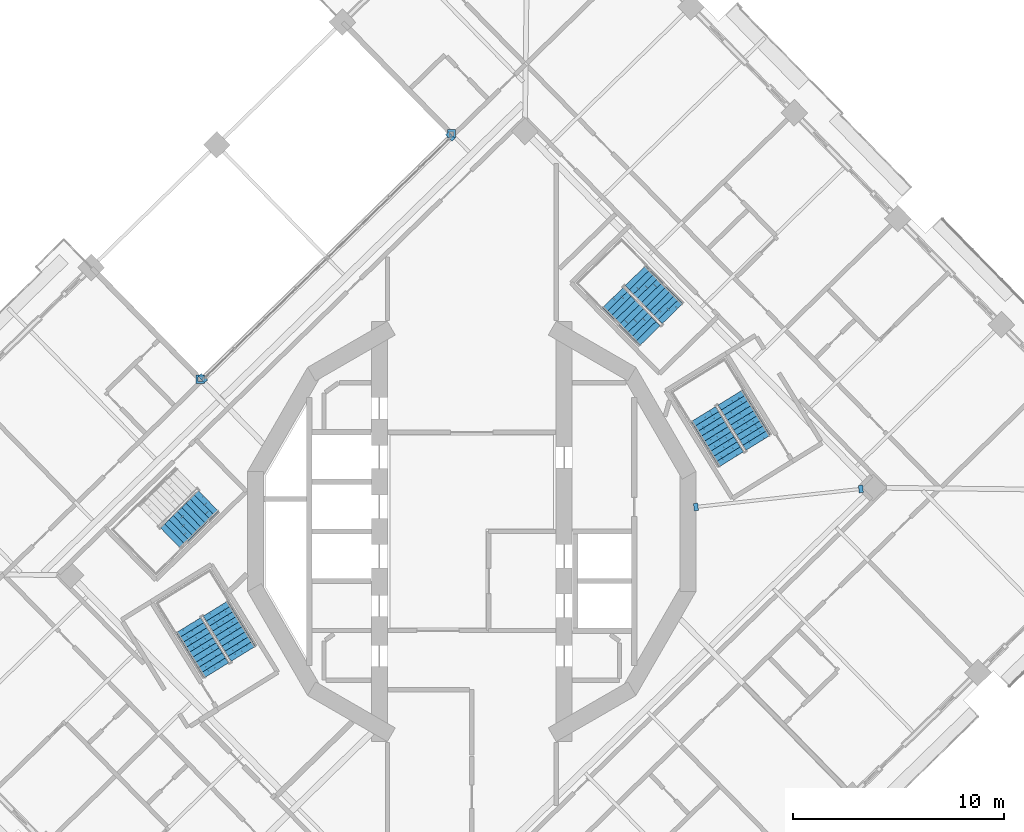
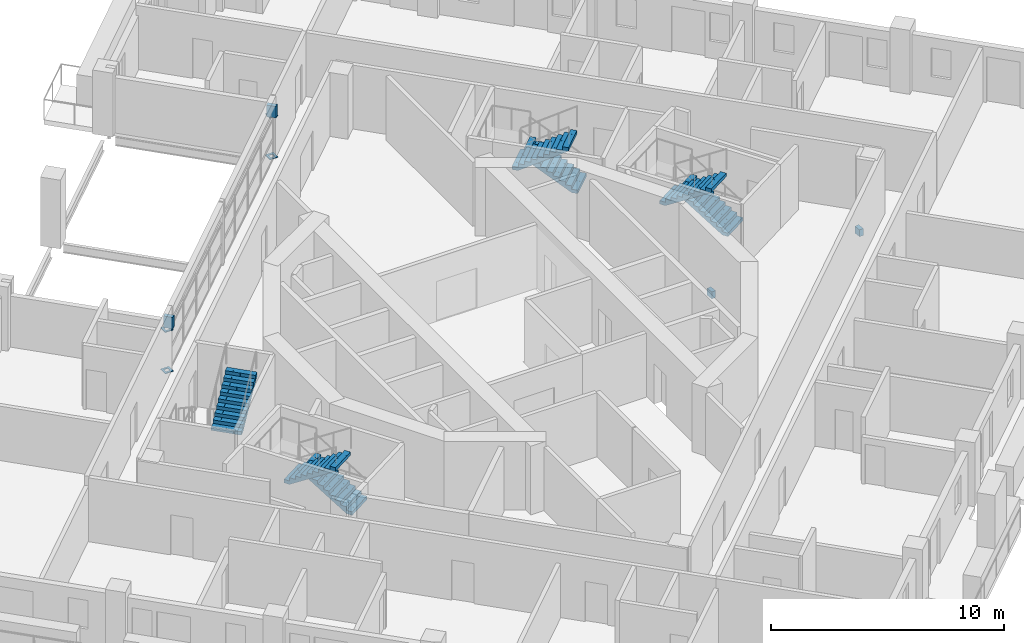
# One storey, part 12 of 18: 8 discrete accessories, 7 stair flights, 4 elements without a shape of their own.
"""IFC4 building model written with IfcOpenShell, lengths in metres."""

from ifc_helpers import new_model, si_unit, direction, frame, origin, place, context, subcontext, project, spatial, polyline, outline, extrude, material, layer, layer_set, type_object, element, aggregate, save


model = new_model("IFC4")

# Units and contexts
model_context = context("Model", 3, precision=1e-05, world=origin(), true_north=direction((0.0, 1.0)))
body_context = subcontext(model_context, "Body", "Model", "MODEL_VIEW")
ifc_project = project(units=[si_unit("LENGTHUNIT", "METRE"), si_unit("AREAUNIT", "SQUARE_METRE"), si_unit("VOLUMEUNIT", "CUBIC_METRE"), si_unit("PLANEANGLEUNIT", "RADIAN"), si_unit("MASSUNIT", "GRAM", prefix="KILO")], contexts=[model_context])

# Site, building, storey
site_placement = place(None, origin())
site = spatial("IfcSite", under=ifc_project, at=site_placement, CompositionType="ELEMENT")
building_placement = place(site_placement, origin())
building = spatial("IfcBuilding", under=site, at=building_placement, Name="Cantera Rosa Tower", CompositionType="ELEMENT")
storey_placement = place(building_placement, frame((0.0, 0.0, 219.800048828125)))
storey = spatial("IfcBuildingStorey", under=building, at=storey_placement, Name="L47", CompositionType="ELEMENT", Elevation=219.800048828125)

# Stair, stair flights
ifc_material_1 = material(Name="Concrete C35/45", Category="concrete")
stair_type = type_object("IfcStairType", Name="EXIT STAIR 1350 DOGLEG", PredefinedType="HALF_TURN_STAIR", material=ifc_material_1)
stair_1_placement = place(storey_placement, origin())
stair_1 = element("IfcStair", 1, at=stair_1_placement, inside=storey, type_object=stair_type, Name="L47 ST-41", PredefinedType="HALF_TURN_STAIR")
ifc_material_2 = material(Name="Concrete C35/45", Category="concrete")
stair_flight_type = type_object("IfcStairFlightType", Name="STAIR FLIGHT 1350 R20x180", PredefinedType="STRAIGHT", material=ifc_material_2)
stair_flight_1_placement = place(storey_placement, frame((13.5732421875, 4.2021484375, 0.0), z_axis=(0.0, 0.0, 1.0), x_axis=(-0.524976585286, 0.851116669383, 0.0)))
stair_flight_1 = element("IfcStairFlight", 2, at=stair_flight_1_placement, type_object=stair_flight_type, Name="ST-41 flight 1", NumberOfRisers=10, NumberOfTreads=9, PredefinedType="STRAIGHT", RiserHeight=0.18, TreadLength=0.28, context=body_context, shape_type="SweptSolid", body=[
    extrude(outline(polyline([(0.0, 0.0), (0.0, 0.179931640625), (0.280029296875, 0.179931640625), (0.280029296875, 0.360107421875), (0.56005859375, 0.360107421875), (0.56005859375, 0.5400390625), (0.840087890625, 0.5400390625), (0.840087890625, 0.719970703125), (1.1201171875, 0.719970703125), (1.1201171875, 0.89990234375), (1.39990234375, 0.89990234375), (1.39990234375, 1.080078125), (1.679931640625, 1.080078125), (1.679931640625, 1.260009765625), (1.9599609375, 1.260009765625), (1.9599609375, 1.43994140625), (2.239990234375, 1.43994140625), (2.239990234375, 1.6201171875), (2.52001953125, 1.6201171875), (2.52001953125, 1.800048828125), (2.52001953125, 1.44189453125), (0.277099609375, 0.0), (0.0, 0.0)])), frame((0.0, 0.675048828125, 0.0), z_axis=(0.0, -1.0, 0.0), x_axis=(1.0, 0.0, 0.0)), (0.0, 0.0, 1.0), 0.3359375),
    extrude(outline(polyline([(0.0, 0.0), (0.0, 0.179931640625), (0.280029296875, 0.179931640625), (0.280029296875, 0.360107421875), (0.56005859375, 0.360107421875), (0.56005859375, 0.5400390625), (0.840087890625, 0.5400390625), (0.840087890625, 0.719970703125), (1.1201171875, 0.719970703125), (1.1201171875, 0.89990234375), (1.39990234375, 0.89990234375), (1.39990234375, 1.080078125), (1.679931640625, 1.080078125), (1.679931640625, 1.260009765625), (1.9599609375, 1.260009765625), (1.9599609375, 1.43994140625), (2.239990234375, 1.43994140625), (2.239990234375, 1.6201171875), (2.52001953125, 1.6201171875), (2.52001953125, 1.800048828125), (2.52001953125, 1.44189453125), (0.277099609375, 0.0), (0.0, 0.0)])), frame((0.0, 0.337158203125, 0.0), z_axis=(0.0, -1.0, 0.0), x_axis=(1.0, 0.0, 0.0)), (0.0, 0.0, 1.0), 0.3359375),
    extrude(outline(polyline([(0.0, 0.0), (0.0, 0.179931640625), (0.280029296875, 0.179931640625), (0.280029296875, 0.360107421875), (0.56005859375, 0.360107421875), (0.56005859375, 0.5400390625), (0.840087890625, 0.5400390625), (0.840087890625, 0.719970703125), (1.1201171875, 0.719970703125), (1.1201171875, 0.89990234375), (1.39990234375, 0.89990234375), (1.39990234375, 1.080078125), (1.679931640625, 1.080078125), (1.679931640625, 1.260009765625), (1.9599609375, 1.260009765625), (1.9599609375, 1.43994140625), (2.239990234375, 1.43994140625), (2.239990234375, 1.6201171875), (2.52001953125, 1.6201171875), (2.52001953125, 1.800048828125), (2.52001953125, 1.44189453125), (0.277099609375, 0.0), (0.0, 0.0)])), frame((0.0, -0.000732421875, 0.0), z_axis=(0.0, -1.0, 0.0), x_axis=(1.0, 0.0, 0.0)), (0.0, 0.0, 1.0), 0.3359375),
    extrude(outline(polyline([(0.0, 0.0), (0.0, 0.179931640625), (0.280029296875, 0.179931640625), (0.280029296875, 0.360107421875), (0.56005859375, 0.360107421875), (0.56005859375, 0.5400390625), (0.840087890625, 0.5400390625), (0.840087890625, 0.719970703125), (1.1201171875, 0.719970703125), (1.1201171875, 0.89990234375), (1.39990234375, 0.89990234375), (1.39990234375, 1.080078125), (1.679931640625, 1.080078125), (1.679931640625, 1.260009765625), (1.9599609375, 1.260009765625), (1.9599609375, 1.43994140625), (2.239990234375, 1.43994140625), (2.239990234375, 1.6201171875), (2.52001953125, 1.6201171875), (2.52001953125, 1.800048828125), (2.52001953125, 1.44189453125), (0.277099609375, 0.0), (0.0, 0.0)])), frame((0.0, -0.338623046875, 0.0), z_axis=(0.0, -1.0, 0.0), x_axis=(1.0, 0.0, 0.0)), (0.0, 0.0, 1.0), 0.3359375),
])
stair_flight_2_placement = place(storey_placement, frame((10.9736328125, 5.5595703125, 1.800048828125), z_axis=(0.0, 0.0, 1.0), x_axis=(0.524976585286, -0.851116669383, 0.0)))
stair_flight_2 = element("IfcStairFlight", 3, at=stair_flight_2_placement, type_object=stair_flight_type, Name="ST-41 flight 2", NumberOfRisers=10, NumberOfTreads=9, PredefinedType="STRAIGHT", RiserHeight=0.18, TreadLength=0.28, context=body_context, shape_type="SweptSolid", body=[
    extrude(outline(polyline([(0.0, 0.0), (0.0, 0.179931640625), (0.280029296875, 0.179931640625), (0.280029296875, 0.360107421875), (0.56005859375, 0.360107421875), (0.56005859375, 0.5400390625), (0.840087890625, 0.5400390625), (0.840087890625, 0.719970703125), (1.1201171875, 0.719970703125), (1.1201171875, 0.89990234375), (1.39990234375, 0.89990234375), (1.39990234375, 1.080078125), (1.679931640625, 1.080078125), (1.679931640625, 1.260009765625), (1.9599609375, 1.260009765625), (1.9599609375, 1.43994140625), (2.239990234375, 1.43994140625), (2.239990234375, 1.6201171875), (2.52001953125, 1.6201171875), (2.52001953125, 1.800048828125), (2.52001953125, 1.44189453125), (0.277099609375, 0.0), (0.0, 0.0)])), frame((0.0, 0.675048828125, 0.0), z_axis=(0.0, -1.0, 0.0), x_axis=(1.0, 0.0, 0.0)), (0.0, 0.0, 1.0), 0.3359375),
    extrude(outline(polyline([(0.0, 0.0), (0.0, 0.179931640625), (0.280029296875, 0.179931640625), (0.280029296875, 0.360107421875), (0.56005859375, 0.360107421875), (0.56005859375, 0.5400390625), (0.840087890625, 0.5400390625), (0.840087890625, 0.719970703125), (1.1201171875, 0.719970703125), (1.1201171875, 0.89990234375), (1.39990234375, 0.89990234375), (1.39990234375, 1.080078125), (1.679931640625, 1.080078125), (1.679931640625, 1.260009765625), (1.9599609375, 1.260009765625), (1.9599609375, 1.43994140625), (2.239990234375, 1.43994140625), (2.239990234375, 1.6201171875), (2.52001953125, 1.6201171875), (2.52001953125, 1.800048828125), (2.52001953125, 1.44189453125), (0.277099609375, 0.0), (0.0, 0.0)])), frame((0.0, 0.337158203125, 0.0), z_axis=(0.0, -1.0, 0.0), x_axis=(1.0, 0.0, 0.0)), (0.0, 0.0, 1.0), 0.3359375),
    extrude(outline(polyline([(0.0, 0.0), (0.0, 0.179931640625), (0.280029296875, 0.179931640625), (0.280029296875, 0.360107421875), (0.56005859375, 0.360107421875), (0.56005859375, 0.5400390625), (0.840087890625, 0.5400390625), (0.840087890625, 0.719970703125), (1.1201171875, 0.719970703125), (1.1201171875, 0.89990234375), (1.39990234375, 0.89990234375), (1.39990234375, 1.080078125), (1.679931640625, 1.080078125), (1.679931640625, 1.260009765625), (1.9599609375, 1.260009765625), (1.9599609375, 1.43994140625), (2.239990234375, 1.43994140625), (2.239990234375, 1.6201171875), (2.52001953125, 1.6201171875), (2.52001953125, 1.800048828125), (2.52001953125, 1.44189453125), (0.277099609375, 0.0), (0.0, 0.0)])), frame((0.0, -0.000732421875, 0.0), z_axis=(0.0, -1.0, 0.0), x_axis=(1.0, 0.0, 0.0)), (0.0, 0.0, 1.0), 0.3359375),
    extrude(outline(polyline([(0.0, 0.0), (0.0, 0.179931640625), (0.280029296875, 0.179931640625), (0.280029296875, 0.360107421875), (0.56005859375, 0.360107421875), (0.56005859375, 0.5400390625), (0.840087890625, 0.5400390625), (0.840087890625, 0.719970703125), (1.1201171875, 0.719970703125), (1.1201171875, 0.89990234375), (1.39990234375, 0.89990234375), (1.39990234375, 1.080078125), (1.679931640625, 1.080078125), (1.679931640625, 1.260009765625), (1.9599609375, 1.260009765625), (1.9599609375, 1.43994140625), (2.239990234375, 1.43994140625), (2.239990234375, 1.6201171875), (2.52001953125, 1.6201171875), (2.52001953125, 1.800048828125), (2.52001953125, 1.44189453125), (0.277099609375, 0.0), (0.0, 0.0)])), frame((0.0, -0.338623046875, 0.0), z_axis=(0.0, -1.0, 0.0), x_axis=(1.0, 0.0, 0.0)), (0.0, 0.0, 1.0), 0.3359375),
])
aggregate(stair_1, [stair_flight_1, stair_flight_2])

stair_2_placement = place(storey_placement, origin())
stair_2 = element("IfcStair", 4, at=stair_2_placement, inside=storey, type_object=stair_type, Name="L47 ST-42", PredefinedType="HALF_TURN_STAIR")
stair_flight_3_placement = place(storey_placement, frame((9.514892578125, 10.32275390625, 0.0), z_axis=(0.0, 0.0, 1.0), x_axis=(-0.698831536207, 0.715286295132, 0.0)))
stair_flight_3 = element("IfcStairFlight", 5, at=stair_flight_3_placement, type_object=stair_flight_type, Name="ST-42 flight 1", NumberOfRisers=10, NumberOfTreads=9, PredefinedType="STRAIGHT", RiserHeight=0.18, TreadLength=0.28, context=body_context, shape_type="SweptSolid", body=[
    extrude(outline(polyline([(0.0, 0.0), (0.0, 0.179931640625), (0.280029296875, 0.179931640625), (0.280029296875, 0.360107421875), (0.56005859375, 0.360107421875), (0.56005859375, 0.5400390625), (0.840087890625, 0.5400390625), (0.840087890625, 0.719970703125), (1.1201171875, 0.719970703125), (1.1201171875, 0.89990234375), (1.39990234375, 0.89990234375), (1.39990234375, 1.080078125), (1.679931640625, 1.080078125), (1.679931640625, 1.260009765625), (1.9599609375, 1.260009765625), (1.9599609375, 1.43994140625), (2.239990234375, 1.43994140625), (2.239990234375, 1.6201171875), (2.52001953125, 1.6201171875), (2.52001953125, 1.800048828125), (2.52001953125, 1.44189453125), (0.277099609375, 0.0), (0.0, 0.0)])), frame((0.0, 0.675048828125, 0.0), z_axis=(0.0, -1.0, 0.0), x_axis=(1.0, 0.0, 0.0)), (0.0, 0.0, 1.0), 0.3359375),
    extrude(outline(polyline([(0.0, 0.0), (0.0, 0.179931640625), (0.280029296875, 0.179931640625), (0.280029296875, 0.360107421875), (0.56005859375, 0.360107421875), (0.56005859375, 0.5400390625), (0.840087890625, 0.5400390625), (0.840087890625, 0.719970703125), (1.1201171875, 0.719970703125), (1.1201171875, 0.89990234375), (1.39990234375, 0.89990234375), (1.39990234375, 1.080078125), (1.679931640625, 1.080078125), (1.679931640625, 1.260009765625), (1.9599609375, 1.260009765625), (1.9599609375, 1.43994140625), (2.239990234375, 1.43994140625), (2.239990234375, 1.6201171875), (2.52001953125, 1.6201171875), (2.52001953125, 1.800048828125), (2.52001953125, 1.44189453125), (0.277099609375, 0.0), (0.0, 0.0)])), frame((0.0, 0.337158203125, 0.0), z_axis=(0.0, -1.0, 0.0), x_axis=(1.0, 0.0, 0.0)), (0.0, 0.0, 1.0), 0.3359375),
    extrude(outline(polyline([(0.0, 0.0), (0.0, 0.179931640625), (0.280029296875, 0.179931640625), (0.280029296875, 0.360107421875), (0.56005859375, 0.360107421875), (0.56005859375, 0.5400390625), (0.840087890625, 0.5400390625), (0.840087890625, 0.719970703125), (1.1201171875, 0.719970703125), (1.1201171875, 0.89990234375), (1.39990234375, 0.89990234375), (1.39990234375, 1.080078125), (1.679931640625, 1.080078125), (1.679931640625, 1.260009765625), (1.9599609375, 1.260009765625), (1.9599609375, 1.43994140625), (2.239990234375, 1.43994140625), (2.239990234375, 1.6201171875), (2.52001953125, 1.6201171875), (2.52001953125, 1.800048828125), (2.52001953125, 1.44189453125), (0.277099609375, 0.0), (0.0, 0.0)])), frame((0.0, -0.000732421875, 0.0), z_axis=(0.0, -1.0, 0.0), x_axis=(1.0, 0.0, 0.0)), (0.0, 0.0, 1.0), 0.3359375),
    extrude(outline(polyline([(0.0, 0.0), (0.0, 0.179931640625), (0.280029296875, 0.179931640625), (0.280029296875, 0.360107421875), (0.56005859375, 0.360107421875), (0.56005859375, 0.5400390625), (0.840087890625, 0.5400390625), (0.840087890625, 0.719970703125), (1.1201171875, 0.719970703125), (1.1201171875, 0.89990234375), (1.39990234375, 0.89990234375), (1.39990234375, 1.080078125), (1.679931640625, 1.080078125), (1.679931640625, 1.260009765625), (1.9599609375, 1.260009765625), (1.9599609375, 1.43994140625), (2.239990234375, 1.43994140625), (2.239990234375, 1.6201171875), (2.52001953125, 1.6201171875), (2.52001953125, 1.800048828125), (2.52001953125, 1.44189453125), (0.277099609375, 0.0), (0.0, 0.0)])), frame((0.0, -0.338623046875, 0.0), z_axis=(0.0, -1.0, 0.0), x_axis=(1.0, 0.0, 0.0)), (0.0, 0.0, 1.0), 0.3359375),
])
stair_flight_4_placement = place(storey_placement, frame((6.680908203125, 11.076904296875, 1.800048828125), z_axis=(0.0, 0.0, 1.0), x_axis=(0.698831536207, -0.715286295132, 0.0)))
stair_flight_4 = element("IfcStairFlight", 6, at=stair_flight_4_placement, type_object=stair_flight_type, Name="ST-42 flight 2", NumberOfRisers=10, NumberOfTreads=9, PredefinedType="STRAIGHT", RiserHeight=0.18, TreadLength=0.28, context=body_context, shape_type="SweptSolid", body=[
    extrude(outline(polyline([(0.0, 0.0), (0.0, 0.179931640625), (0.280029296875, 0.179931640625), (0.280029296875, 0.360107421875), (0.56005859375, 0.360107421875), (0.56005859375, 0.5400390625), (0.840087890625, 0.5400390625), (0.840087890625, 0.719970703125), (1.1201171875, 0.719970703125), (1.1201171875, 0.89990234375), (1.39990234375, 0.89990234375), (1.39990234375, 1.080078125), (1.679931640625, 1.080078125), (1.679931640625, 1.260009765625), (1.9599609375, 1.260009765625), (1.9599609375, 1.43994140625), (2.239990234375, 1.43994140625), (2.239990234375, 1.6201171875), (2.52001953125, 1.6201171875), (2.52001953125, 1.800048828125), (2.52001953125, 1.44189453125), (0.277099609375, 0.0), (0.0, 0.0)])), frame((0.0, 0.675048828125, 0.0), z_axis=(0.0, -1.0, 0.0), x_axis=(1.0, 0.0, 0.0)), (0.0, 0.0, 1.0), 0.3359375),
    extrude(outline(polyline([(0.0, 0.0), (0.0, 0.179931640625), (0.280029296875, 0.179931640625), (0.280029296875, 0.360107421875), (0.56005859375, 0.360107421875), (0.56005859375, 0.5400390625), (0.840087890625, 0.5400390625), (0.840087890625, 0.719970703125), (1.1201171875, 0.719970703125), (1.1201171875, 0.89990234375), (1.39990234375, 0.89990234375), (1.39990234375, 1.080078125), (1.679931640625, 1.080078125), (1.679931640625, 1.260009765625), (1.9599609375, 1.260009765625), (1.9599609375, 1.43994140625), (2.239990234375, 1.43994140625), (2.239990234375, 1.6201171875), (2.52001953125, 1.6201171875), (2.52001953125, 1.800048828125), (2.52001953125, 1.44189453125), (0.277099609375, 0.0), (0.0, 0.0)])), frame((0.0, 0.337158203125, 0.0), z_axis=(0.0, -1.0, 0.0), x_axis=(1.0, 0.0, 0.0)), (0.0, 0.0, 1.0), 0.3359375),
    extrude(outline(polyline([(0.0, 0.0), (0.0, 0.179931640625), (0.280029296875, 0.179931640625), (0.280029296875, 0.360107421875), (0.56005859375, 0.360107421875), (0.56005859375, 0.5400390625), (0.840087890625, 0.5400390625), (0.840087890625, 0.719970703125), (1.1201171875, 0.719970703125), (1.1201171875, 0.89990234375), (1.39990234375, 0.89990234375), (1.39990234375, 1.080078125), (1.679931640625, 1.080078125), (1.679931640625, 1.260009765625), (1.9599609375, 1.260009765625), (1.9599609375, 1.43994140625), (2.239990234375, 1.43994140625), (2.239990234375, 1.6201171875), (2.52001953125, 1.6201171875), (2.52001953125, 1.800048828125), (2.52001953125, 1.44189453125), (0.277099609375, 0.0), (0.0, 0.0)])), frame((0.0, -0.000732421875, 0.0), z_axis=(0.0, -1.0, 0.0), x_axis=(1.0, 0.0, 0.0)), (0.0, 0.0, 1.0), 0.3359375),
    extrude(outline(polyline([(0.0, 0.0), (0.0, 0.179931640625), (0.280029296875, 0.179931640625), (0.280029296875, 0.360107421875), (0.56005859375, 0.360107421875), (0.56005859375, 0.5400390625), (0.840087890625, 0.5400390625), (0.840087890625, 0.719970703125), (1.1201171875, 0.719970703125), (1.1201171875, 0.89990234375), (1.39990234375, 0.89990234375), (1.39990234375, 1.080078125), (1.679931640625, 1.080078125), (1.679931640625, 1.260009765625), (1.9599609375, 1.260009765625), (1.9599609375, 1.43994140625), (2.239990234375, 1.43994140625), (2.239990234375, 1.6201171875), (2.52001953125, 1.6201171875), (2.52001953125, 1.800048828125), (2.52001953125, 1.44189453125), (0.277099609375, 0.0), (0.0, 0.0)])), frame((0.0, -0.338623046875, 0.0), z_axis=(0.0, -1.0, 0.0), x_axis=(1.0, 0.0, 0.0)), (0.0, 0.0, 1.0), 0.3359375),
])
aggregate(stair_2, [stair_flight_3, stair_flight_4])

# Stair, stair flight
stair_3_placement = place(storey_placement, origin())
stair_3 = element("IfcStair", 7, at=stair_3_placement, inside=storey, type_object=stair_type, Name="L47 ST-43", PredefinedType="HALF_TURN_STAIR")
stair_flight_5_placement = place(storey_placement, frame((-14.277099609375, -0.319091796875, 1.800048828125), z_axis=(0.0, 0.0, 1.0), x_axis=(0.715286295132, 0.698831536207, 0.0)))
stair_flight_5 = element("IfcStairFlight", 8, at=stair_flight_5_placement, type_object=stair_flight_type, Name="ST-43 flight 2", NumberOfRisers=10, NumberOfTreads=9, PredefinedType="STRAIGHT", RiserHeight=0.18, TreadLength=0.28, context=body_context, shape_type="SweptSolid", body=[
    extrude(outline(polyline([(0.0, 0.0), (0.0, 0.179931640625), (0.280029296875, 0.179931640625), (0.280029296875, 0.360107421875), (0.56005859375, 0.360107421875), (0.56005859375, 0.5400390625), (0.840087890625, 0.5400390625), (0.840087890625, 0.719970703125), (1.1201171875, 0.719970703125), (1.1201171875, 0.89990234375), (1.39990234375, 0.89990234375), (1.39990234375, 1.080078125), (1.679931640625, 1.080078125), (1.679931640625, 1.260009765625), (1.9599609375, 1.260009765625), (1.9599609375, 1.43994140625), (2.239990234375, 1.43994140625), (2.239990234375, 1.6201171875), (2.52001953125, 1.6201171875), (2.52001953125, 1.800048828125), (2.52001953125, 1.44189453125), (0.277099609375, 0.0), (0.0, 0.0)])), frame((0.0, 0.675048828125, 0.0), z_axis=(0.0, -1.0, 0.0), x_axis=(1.0, 0.0, 0.0)), (0.0, 0.0, 1.0), 0.3359375),
    extrude(outline(polyline([(0.0, 0.0), (0.0, 0.179931640625), (0.280029296875, 0.179931640625), (0.280029296875, 0.360107421875), (0.56005859375, 0.360107421875), (0.56005859375, 0.5400390625), (0.840087890625, 0.5400390625), (0.840087890625, 0.719970703125), (1.1201171875, 0.719970703125), (1.1201171875, 0.89990234375), (1.39990234375, 0.89990234375), (1.39990234375, 1.080078125), (1.679931640625, 1.080078125), (1.679931640625, 1.260009765625), (1.9599609375, 1.260009765625), (1.9599609375, 1.43994140625), (2.239990234375, 1.43994140625), (2.239990234375, 1.6201171875), (2.52001953125, 1.6201171875), (2.52001953125, 1.800048828125), (2.52001953125, 1.44189453125), (0.277099609375, 0.0), (0.0, 0.0)])), frame((0.0, 0.337158203125, 0.0), z_axis=(0.0, -1.0, 0.0), x_axis=(1.0, 0.0, 0.0)), (0.0, 0.0, 1.0), 0.3359375),
    extrude(outline(polyline([(0.0, 0.0), (0.0, 0.179931640625), (0.280029296875, 0.179931640625), (0.280029296875, 0.360107421875), (0.56005859375, 0.360107421875), (0.56005859375, 0.5400390625), (0.840087890625, 0.5400390625), (0.840087890625, 0.719970703125), (1.1201171875, 0.719970703125), (1.1201171875, 0.89990234375), (1.39990234375, 0.89990234375), (1.39990234375, 1.080078125), (1.679931640625, 1.080078125), (1.679931640625, 1.260009765625), (1.9599609375, 1.260009765625), (1.9599609375, 1.43994140625), (2.239990234375, 1.43994140625), (2.239990234375, 1.6201171875), (2.52001953125, 1.6201171875), (2.52001953125, 1.800048828125), (2.52001953125, 1.44189453125), (0.277099609375, 0.0), (0.0, 0.0)])), frame((0.0, -0.000732421875, 0.0), z_axis=(0.0, -1.0, 0.0), x_axis=(1.0, 0.0, 0.0)), (0.0, 0.0, 1.0), 0.3359375),
    extrude(outline(polyline([(0.0, 0.0), (0.0, 0.179931640625), (0.280029296875, 0.179931640625), (0.280029296875, 0.360107421875), (0.56005859375, 0.360107421875), (0.56005859375, 0.5400390625), (0.840087890625, 0.5400390625), (0.840087890625, 0.719970703125), (1.1201171875, 0.719970703125), (1.1201171875, 0.89990234375), (1.39990234375, 0.89990234375), (1.39990234375, 1.080078125), (1.679931640625, 1.080078125), (1.679931640625, 1.260009765625), (1.9599609375, 1.260009765625), (1.9599609375, 1.43994140625), (2.239990234375, 1.43994140625), (2.239990234375, 1.6201171875), (2.52001953125, 1.6201171875), (2.52001953125, 1.800048828125), (2.52001953125, 1.44189453125), (0.277099609375, 0.0), (0.0, 0.0)])), frame((0.0, -0.338623046875, 0.0), z_axis=(0.0, -1.0, 0.0), x_axis=(1.0, 0.0, 0.0)), (0.0, 0.0, 1.0), 0.3359375),
])
aggregate(stair_3, [stair_flight_5])

# Stair, stair flights
stair_4_placement = place(storey_placement, origin())
stair_4 = element("IfcStair", 9, at=stair_4_placement, inside=storey, type_object=stair_type, Name="L47 ST-44", PredefinedType="HALF_TURN_STAIR")
stair_flight_6_placement = place(storey_placement, frame((-10.82666015625, -5.7978515625, 0.0), z_axis=(0.0, 0.0, 1.0), x_axis=(-0.524976585286, 0.851116669383, 0.0)))
stair_flight_6 = element("IfcStairFlight", 10, at=stair_flight_6_placement, type_object=stair_flight_type, Name="ST-44 flight 1", NumberOfRisers=10, NumberOfTreads=9, PredefinedType="STRAIGHT", RiserHeight=0.18, TreadLength=0.28, context=body_context, shape_type="SweptSolid", body=[
    extrude(outline(polyline([(0.0, 0.0), (0.0, 0.179931640625), (0.280029296875, 0.179931640625), (0.280029296875, 0.360107421875), (0.56005859375, 0.360107421875), (0.56005859375, 0.5400390625), (0.840087890625, 0.5400390625), (0.840087890625, 0.719970703125), (1.1201171875, 0.719970703125), (1.1201171875, 0.89990234375), (1.39990234375, 0.89990234375), (1.39990234375, 1.080078125), (1.679931640625, 1.080078125), (1.679931640625, 1.260009765625), (1.9599609375, 1.260009765625), (1.9599609375, 1.43994140625), (2.239990234375, 1.43994140625), (2.239990234375, 1.6201171875), (2.52001953125, 1.6201171875), (2.52001953125, 1.800048828125), (2.52001953125, 1.44189453125), (0.277099609375, 0.0), (0.0, 0.0)])), frame((0.0, 0.675048828125, 0.0), z_axis=(0.0, -1.0, 0.0), x_axis=(1.0, 0.0, 0.0)), (0.0, 0.0, 1.0), 0.3359375),
    extrude(outline(polyline([(0.0, 0.0), (0.0, 0.179931640625), (0.280029296875, 0.179931640625), (0.280029296875, 0.360107421875), (0.56005859375, 0.360107421875), (0.56005859375, 0.5400390625), (0.840087890625, 0.5400390625), (0.840087890625, 0.719970703125), (1.1201171875, 0.719970703125), (1.1201171875, 0.89990234375), (1.39990234375, 0.89990234375), (1.39990234375, 1.080078125), (1.679931640625, 1.080078125), (1.679931640625, 1.260009765625), (1.9599609375, 1.260009765625), (1.9599609375, 1.43994140625), (2.239990234375, 1.43994140625), (2.239990234375, 1.6201171875), (2.52001953125, 1.6201171875), (2.52001953125, 1.800048828125), (2.52001953125, 1.44189453125), (0.277099609375, 0.0), (0.0, 0.0)])), frame((0.0, 0.337158203125, 0.0), z_axis=(0.0, -1.0, 0.0), x_axis=(1.0, 0.0, 0.0)), (0.0, 0.0, 1.0), 0.3359375),
    extrude(outline(polyline([(0.0, 0.0), (0.0, 0.179931640625), (0.280029296875, 0.179931640625), (0.280029296875, 0.360107421875), (0.56005859375, 0.360107421875), (0.56005859375, 0.5400390625), (0.840087890625, 0.5400390625), (0.840087890625, 0.719970703125), (1.1201171875, 0.719970703125), (1.1201171875, 0.89990234375), (1.39990234375, 0.89990234375), (1.39990234375, 1.080078125), (1.679931640625, 1.080078125), (1.679931640625, 1.260009765625), (1.9599609375, 1.260009765625), (1.9599609375, 1.43994140625), (2.239990234375, 1.43994140625), (2.239990234375, 1.6201171875), (2.52001953125, 1.6201171875), (2.52001953125, 1.800048828125), (2.52001953125, 1.44189453125), (0.277099609375, 0.0), (0.0, 0.0)])), frame((0.0, -0.000732421875, 0.0), z_axis=(0.0, -1.0, 0.0), x_axis=(1.0, 0.0, 0.0)), (0.0, 0.0, 1.0), 0.3359375),
    extrude(outline(polyline([(0.0, 0.0), (0.0, 0.179931640625), (0.280029296875, 0.179931640625), (0.280029296875, 0.360107421875), (0.56005859375, 0.360107421875), (0.56005859375, 0.5400390625), (0.840087890625, 0.5400390625), (0.840087890625, 0.719970703125), (1.1201171875, 0.719970703125), (1.1201171875, 0.89990234375), (1.39990234375, 0.89990234375), (1.39990234375, 1.080078125), (1.679931640625, 1.080078125), (1.679931640625, 1.260009765625), (1.9599609375, 1.260009765625), (1.9599609375, 1.43994140625), (2.239990234375, 1.43994140625), (2.239990234375, 1.6201171875), (2.52001953125, 1.6201171875), (2.52001953125, 1.800048828125), (2.52001953125, 1.44189453125), (0.277099609375, 0.0), (0.0, 0.0)])), frame((0.0, -0.338623046875, 0.0), z_axis=(0.0, -1.0, 0.0), x_axis=(1.0, 0.0, 0.0)), (0.0, 0.0, 1.0), 0.3359375),
])
stair_flight_7_placement = place(storey_placement, frame((-13.42626953125, -4.4404296875, 1.800048828125), z_axis=(0.0, 0.0, 1.0), x_axis=(0.524976585286, -0.851116669383, 0.0)))
stair_flight_7 = element("IfcStairFlight", 11, at=stair_flight_7_placement, type_object=stair_flight_type, Name="ST-44 flight 2", NumberOfRisers=10, NumberOfTreads=9, PredefinedType="STRAIGHT", RiserHeight=0.18, TreadLength=0.28, context=body_context, shape_type="SweptSolid", body=[
    extrude(outline(polyline([(0.0, 0.0), (0.0, 0.179931640625), (0.280029296875, 0.179931640625), (0.280029296875, 0.360107421875), (0.56005859375, 0.360107421875), (0.56005859375, 0.5400390625), (0.840087890625, 0.5400390625), (0.840087890625, 0.719970703125), (1.1201171875, 0.719970703125), (1.1201171875, 0.89990234375), (1.39990234375, 0.89990234375), (1.39990234375, 1.080078125), (1.679931640625, 1.080078125), (1.679931640625, 1.260009765625), (1.9599609375, 1.260009765625), (1.9599609375, 1.43994140625), (2.239990234375, 1.43994140625), (2.239990234375, 1.6201171875), (2.52001953125, 1.6201171875), (2.52001953125, 1.800048828125), (2.52001953125, 1.44189453125), (0.277099609375, 0.0), (0.0, 0.0)])), frame((0.0, 0.675048828125, 0.0), z_axis=(0.0, -1.0, 0.0), x_axis=(1.0, 0.0, 0.0)), (0.0, 0.0, 1.0), 0.3359375),
    extrude(outline(polyline([(0.0, 0.0), (0.0, 0.179931640625), (0.280029296875, 0.179931640625), (0.280029296875, 0.360107421875), (0.56005859375, 0.360107421875), (0.56005859375, 0.5400390625), (0.840087890625, 0.5400390625), (0.840087890625, 0.719970703125), (1.1201171875, 0.719970703125), (1.1201171875, 0.89990234375), (1.39990234375, 0.89990234375), (1.39990234375, 1.080078125), (1.679931640625, 1.080078125), (1.679931640625, 1.260009765625), (1.9599609375, 1.260009765625), (1.9599609375, 1.43994140625), (2.239990234375, 1.43994140625), (2.239990234375, 1.6201171875), (2.52001953125, 1.6201171875), (2.52001953125, 1.800048828125), (2.52001953125, 1.44189453125), (0.277099609375, 0.0), (0.0, 0.0)])), frame((0.0, 0.337158203125, 0.0), z_axis=(0.0, -1.0, 0.0), x_axis=(1.0, 0.0, 0.0)), (0.0, 0.0, 1.0), 0.3359375),
    extrude(outline(polyline([(0.0, 0.0), (0.0, 0.179931640625), (0.280029296875, 0.179931640625), (0.280029296875, 0.360107421875), (0.56005859375, 0.360107421875), (0.56005859375, 0.5400390625), (0.840087890625, 0.5400390625), (0.840087890625, 0.719970703125), (1.1201171875, 0.719970703125), (1.1201171875, 0.89990234375), (1.39990234375, 0.89990234375), (1.39990234375, 1.080078125), (1.679931640625, 1.080078125), (1.679931640625, 1.260009765625), (1.9599609375, 1.260009765625), (1.9599609375, 1.43994140625), (2.239990234375, 1.43994140625), (2.239990234375, 1.6201171875), (2.52001953125, 1.6201171875), (2.52001953125, 1.800048828125), (2.52001953125, 1.44189453125), (0.277099609375, 0.0), (0.0, 0.0)])), frame((0.0, -0.000732421875, 0.0), z_axis=(0.0, -1.0, 0.0), x_axis=(1.0, 0.0, 0.0)), (0.0, 0.0, 1.0), 0.3359375),
    extrude(outline(polyline([(0.0, 0.0), (0.0, 0.179931640625), (0.280029296875, 0.179931640625), (0.280029296875, 0.360107421875), (0.56005859375, 0.360107421875), (0.56005859375, 0.5400390625), (0.840087890625, 0.5400390625), (0.840087890625, 0.719970703125), (1.1201171875, 0.719970703125), (1.1201171875, 0.89990234375), (1.39990234375, 0.89990234375), (1.39990234375, 1.080078125), (1.679931640625, 1.080078125), (1.679931640625, 1.260009765625), (1.9599609375, 1.260009765625), (1.9599609375, 1.43994140625), (2.239990234375, 1.43994140625), (2.239990234375, 1.6201171875), (2.52001953125, 1.6201171875), (2.52001953125, 1.800048828125), (2.52001953125, 1.44189453125), (0.277099609375, 0.0), (0.0, 0.0)])), frame((0.0, -0.338623046875, 0.0), z_axis=(0.0, -1.0, 0.0), x_axis=(1.0, 0.0, 0.0)), (0.0, 0.0, 1.0), 0.3359375),
])
aggregate(stair_4, [stair_flight_6, stair_flight_7])

# Discrete accessories
ifc_material_3 = material(Name="Steel ASTM A992 (Fy 345 MPa)", Category="steel")
ifc_layer = layer(ifc_material_3, 0.0400390625)
ifc_layer_set = layer_set([ifc_layer], Name="STEEL BEARING PLATE 40")
discrete_accessory_type = type_object("IfcDiscreteAccessoryType", Name="STEEL BEARING PLATE 40", PredefinedType="ANCHORPLATE", material=ifc_layer_set)
discrete_accessory_1_placement = place(storey_placement, frame((0.0, 0.0, -0.66015625)))
element("IfcDiscreteAccessory", 12, at=discrete_accessory_1_placement, inside=storey, type_object=discrete_accessory_type, Name="BEARING PLATE PG-Z4-01 end 1 L47", PredefinedType="ANCHORPLATE", context=body_context, shape_type="SweptSolid", body=[
    extrude(outline(polyline([(18.362548828125, 1.828125), (18.5615234375, 1.849853515625), (18.52294921875, 2.20166015625), (18.32421875, 2.179931640625), (18.362548828125, 1.828125)])), origin(), (0.0, 0.0, 1.0), 0.360107421875),
])
discrete_accessory_2_placement = place(storey_placement, frame((0.0, 0.0, -0.66015625)))
element("IfcDiscreteAccessory", 13, at=discrete_accessory_2_placement, inside=storey, type_object=discrete_accessory_type, Name="BEARING PLATE PG-Z4-01 end 2 L47", PredefinedType="ANCHORPLATE", context=body_context, shape_type="SweptSolid", body=[
    extrude(outline(polyline([(10.705322265625, 1.34765625), (10.506591796875, 1.325927734375), (10.544921875, 0.97412109375), (10.743896484375, 0.99560546875), (10.705322265625, 1.34765625)])), origin(), (0.0, 0.0, 1.0), 0.360107421875),
])
for number, where, name in (
    (14, (0.0, 0.0, 0.0), "POST PLATE L47-1F"),
    (15, (0.0, 0.0, 2.16796875), "POST PLATE L47-1T"),
):
    element("IfcDiscreteAccessory", number, at=place(storey_placement, frame(where)), inside=storey, type_object=discrete_accessory_type, Name=name, PredefinedType="ANCHORPLATE", context=body_context, shape_type="SweptSolid", body=[
        extrude(outline(polyline([(-1.16162109375, 18.642578125), (-0.76171875, 18.642578125), (-0.76171875, 19.042724609375), (-1.16162109375, 19.042724609375), (-1.16162109375, 18.642578125)]), holes=[polyline([(-1.061767578125, 18.74267578125), (-0.86181640625, 18.74267578125), (-0.86181640625, 18.942626953125), (-1.061767578125, 18.942626953125), (-1.061767578125, 18.74267578125)])]), origin(), (0.0, 0.0, 1.0), 0.0400390625),
    ])
for number, where, name in (
    (16, (0.0, 0.0, 0.0), "POST PLATE L47-2F"),
    (17, (0.0, 0.0, 2.16796875), "POST PLATE L47-2T"),
):
    element("IfcDiscreteAccessory", number, at=place(storey_placement, frame(where)), inside=storey, type_object=discrete_accessory_type, Name=name, PredefinedType="ANCHORPLATE", context=body_context, shape_type="SweptSolid", body=[
        extrude(outline(polyline([(-13.064208984375, 7.01416015625), (-12.6640625, 7.01416015625), (-12.6640625, 7.414306640625), (-13.064208984375, 7.414306640625), (-13.064208984375, 7.01416015625)]), holes=[polyline([(-12.964111328125, 7.1142578125), (-12.76416015625, 7.1142578125), (-12.76416015625, 7.314208984375), (-12.964111328125, 7.314208984375), (-12.964111328125, 7.1142578125)])]), origin(), (0.0, 0.0, 1.0), 0.0400390625),
    ])
discrete_accessory_3_placement = place(storey_placement, frame((0.0, 0.0, 2.2080078125)))
element("IfcDiscreteAccessory", 18, at=discrete_accessory_3_placement, inside=storey, type_object=discrete_accessory_type, Name="LINTEL PLATE L47-1", PredefinedType="ANCHORPLATE", context=body_context, shape_type="SweptSolid", body=[
    extrude(outline(polyline([(-0.93798828125, 18.49658203125), (-0.795166015625, 18.636474609375), (-1.09423828125, 18.942626953125), (-1.2373046875, 18.802734375), (-0.93798828125, 18.49658203125)])), origin(), (0.0, 0.0, 1.0), 0.60205078125),
])
discrete_accessory_4_placement = place(storey_placement, frame((0.0, 0.0, 2.2080078125)))
element("IfcDiscreteAccessory", 19, at=discrete_accessory_4_placement, inside=storey, type_object=discrete_accessory_type, Name="LINTEL PLATE L47-2", PredefinedType="ANCHORPLATE", context=body_context, shape_type="SweptSolid", body=[
    extrude(outline(polyline([(-12.817626953125, 7.48876953125), (-12.960693359375, 7.348876953125), (-12.66162109375, 7.042724609375), (-12.5185546875, 7.1826171875), (-12.817626953125, 7.48876953125)])), origin(), (0.0, 0.0, 1.0), 0.60205078125),
])

save(model, "model.ifc")
